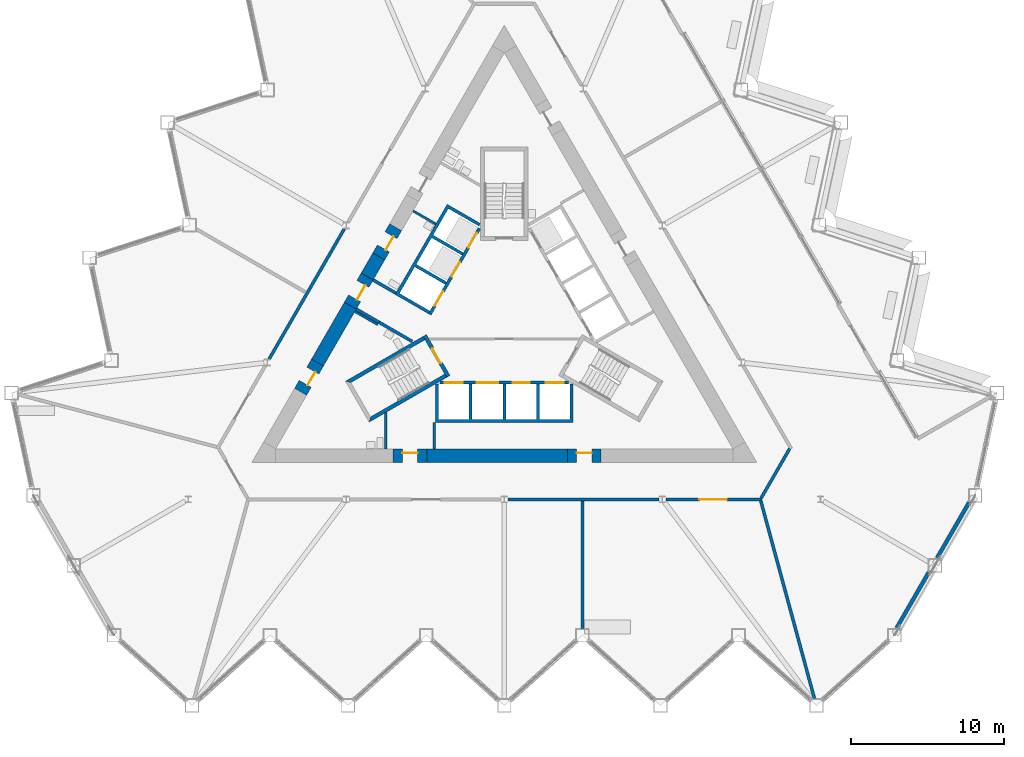
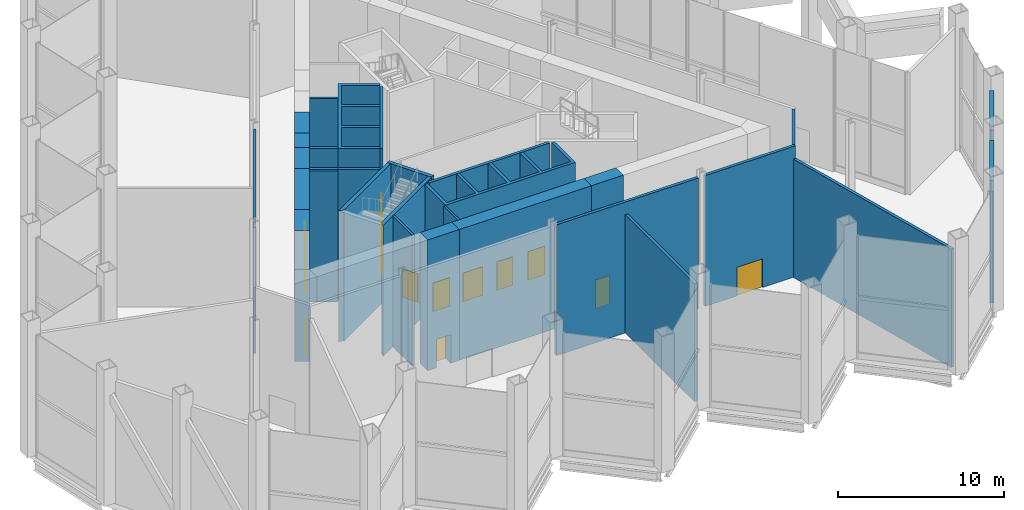
# One storey, part 9 of 18: 30 walls, 14 doors, 14 openings.
"""IFC4 building model written with IfcOpenShell, lengths in metres."""

from ifc_helpers import new_model, si_unit, direction, frame, frame_2d, origin, place, context, subcontext, project, spatial, polyline, rectangle, outline, extrude, material, layer, layer_set, type_object, element, fill, save


model = new_model("IFC4")

# Units and contexts
model_context = context("Model", 3, precision=1e-05, world=origin(), true_north=direction((0.0, 1.0)))
body_context = subcontext(model_context, "Body", "Model", "MODEL_VIEW")
ifc_project = project(units=[si_unit("LENGTHUNIT", "METRE"), si_unit("AREAUNIT", "SQUARE_METRE"), si_unit("VOLUMEUNIT", "CUBIC_METRE"), si_unit("PLANEANGLEUNIT", "RADIAN"), si_unit("MASSUNIT", "GRAM", prefix="KILO")], contexts=[model_context])

# Site, building, storey
site_placement = place(None, origin())
site = spatial("IfcSite", under=ifc_project, at=site_placement, CompositionType="ELEMENT")
building_placement = place(site_placement, origin())
building = spatial("IfcBuilding", under=site, at=building_placement, Name="Cormorant Prow Tower", CompositionType="ELEMENT")
storey_placement = place(building_placement, frame((0.0, 0.0, 154.199951171875)))
storey = spatial("IfcBuildingStorey", under=building, at=storey_placement, Name="L33", CompositionType="ELEMENT", Elevation=154.199951171875)

# Walls
ifc_material_1 = material(Name="Gypsum board partition")
ifc_layer_1 = layer(ifc_material_1, 0.14990234375)
ifc_layer_set_1 = layer_set([ifc_layer_1], Name="Gypsum board partition")
wall_type_1 = type_object("IfcWallType", Name="Core partition 150", PredefinedType="PARTITIONING", material=ifc_layer_set_1)
for number, where, z_axis, x_axis, name in (
    (1, (-8.268310546875, -0.509033203125, 0.0), (0.0, 0.0, 1.0), (-0.866024871741, 0.500000921525, 0.0), "Service room partition"),
    (2, (-4.574951171875, -6.906005859375, 0.0), (0.0, 0.0, 1.0), (0.0, -1.0, 0.0), "Service room partition"),
    (3, (-5.96435546875, 6.921875, 0.0), (0.0, 0.0, 1.0), (0.866024871741, -0.500000921525, 0.0), "Service room partition"),
):
    element("IfcWall", number, at=place(storey_placement, frame(where, z_axis=z_axis, x_axis=x_axis)), inside=storey, type_object=wall_type_1, Name=name, PredefinedType="PARTITIONING", context=body_context, shape_type="SweptSolid", body=[
        extrude(rectangle(XDim=1.72021484375, YDim=0.14990234375, at=frame_2d((0.860107421875, 0.0))), origin(), (0.0, 0.0, 1.0), 9.60009765625),
    ])
wall_1_placement = place(storey_placement, frame((-7.7373046875, -8.626220703125, 0.0), z_axis=(0.0, 0.0, 1.0), x_axis=(0.0, 1.0, 0.0)))
element("IfcWall", 4, at=wall_1_placement, inside=storey, type_object=wall_type_1, Name="Service room partition", PredefinedType="PARTITIONING", context=body_context, shape_type="SweptSolid", body=[
    extrude(rectangle(XDim=2.38623046875, YDim=0.14990234375, at=frame_2d((1.193115234375, 0.0))), origin(), (0.0, 0.0, 1.0), 9.60009765625),
])
ifc_material_2 = material(Name="Concrete 8000 psi", Category="concrete")
ifc_layer_2 = layer(ifc_material_2, 0.89990234375)
ifc_layer_set_2 = layer_set([ifc_layer_2], Name="Concrete 8000 psi")
wall_type_2 = type_object("IfcWallType", Name="Core shear wall 900", PredefinedType="SHEAR", material=ifc_layer_set_2)
wall_2_placement = place(storey_placement, frame((-5.05615234375, -9.076416015625, 0.0), z_axis=(0.0, 0.0, 1.0), x_axis=(1.0, 0.0, 0.0)))
element("IfcWall", 5, at=wall_2_placement, inside=storey, type_object=wall_type_2, Name="Core wall", PredefinedType="SHEAR", context=body_context, shape_type="SweptSolid", body=[
    extrude(rectangle(XDim=9.1767578125, YDim=0.89990234375, at=frame_2d((4.58837890625, 0.0))), origin(), (0.0, 0.0, 1.0), 9.60009765625),
])
wall_3_placement = place(storey_placement, frame((-10.060302734375, 0.7275390625, 0.0), z_axis=(0.0, 0.0, 1.0), x_axis=(-0.499996331799, -0.866027521611, 0.0)))
element("IfcWall", 6, at=wall_3_placement, inside=storey, type_object=wall_type_2, Name="Core wall", PredefinedType="SHEAR", context=body_context, shape_type="SweptSolid", body=[
    extrude(rectangle(XDim=4.29541015625, YDim=0.89990234375, at=frame_2d((2.147705078125, 0.0))), origin(), (0.0, 0.0, 1.0), 9.60009765625),
])
wall_4_placement = place(storey_placement, frame((-8.200927734375, 3.947998046875, 0.0), z_axis=(0.0, 0.0, 1.0), x_axis=(-0.499977585228, -0.866038344573, 0.0)))
element("IfcWall", 7, at=wall_4_placement, inside=storey, type_object=wall_type_2, Name="Core wall", PredefinedType="SHEAR", context=body_context, shape_type="SweptSolid", body=[
    extrude(rectangle(XDim=1.5185546875, YDim=0.89990234375, at=frame_2d((0.75927734375, 0.0))), origin(), (0.0, 0.0, 1.0), 9.60009765625),
])

# Wall, opening, door
wall_5_placement = place(storey_placement, frame((-7.256103515625, -9.076416015625, 0.0), z_axis=(0.0, 0.0, 1.0), x_axis=(1.0, 0.0, 0.0)))
wall_5 = element("IfcWall", 8, at=wall_5_placement, inside=storey, type_object=wall_type_2, Name="Core wall door panel", PredefinedType="SHEAR", context=body_context, shape_type="SweptSolid", body=[
    extrude(rectangle(XDim=2.199951171875, YDim=0.89990234375, at=frame_2d((1.10009765625, 0.0))), origin(), (0.0, 0.0, 1.0), 9.60009765625),
])
opening_1_placement = place(wall_5_placement, frame((0.60009765625, 0.0, 0.0)))
opening_1 = element("IfcOpeningElement", 9, at=opening_1_placement, cuts=wall_5, Name="Opening L33-C16", PredefinedType="OPENING", context=body_context, shape_type="SweptSolid", body=[
    extrude(rectangle(XDim=1.0, YDim=2.10009765625, at=frame_2d((0.5, 1.050048828125))), frame((0.0, 0.4599609375, 0.0), z_axis=(0.0, -1.0, 0.0), x_axis=(1.0, 0.0, 0.0)), (0.0, 0.0, 1.0), 0.919921875),
])
ifc_material_3 = material(Name="Painted steel", Category="steel")
door_type_1 = type_object("IfcDoorType", Name="Service door 1000x2100", OperationType="NOTDEFINED", PredefinedType="DOOR", material=ifc_material_3)
door_1_placement = place(opening_1_placement, origin())
door_1 = element("IfcDoor", 10, at=door_1_placement, inside=storey, type_object=door_type_1, Name="Core door, Housekeeping store", OperationType="SINGLE_SWING_RIGHT", OverallHeight=2.10009765625, OverallWidth=1.0, PredefinedType="DOOR", context=body_context, shape_type="SweptSolid", body=[
    extrude(rectangle(XDim=1.0, YDim=2.10009765625, at=frame_2d((0.5, 1.050048828125))), frame((0.0, 0.205078125, 0.0), z_axis=(0.0, -1.0, 0.0), x_axis=(1.0, 0.0, 0.0)), (0.0, 0.0, 1.0), 0.050048828125),
])
fill(opening_1, door_1)

wall_6_placement = place(storey_placement, frame((4.12060546875, -9.076416015625, 0.0), z_axis=(0.0, 0.0, 1.0), x_axis=(1.0, 0.0, 0.0)))
wall_6 = element("IfcWall", 11, at=wall_6_placement, inside=storey, type_object=wall_type_2, Name="Core wall door panel", PredefinedType="SHEAR", context=body_context, shape_type="SweptSolid", body=[
    extrude(rectangle(XDim=2.199951171875, YDim=0.89990234375, at=frame_2d((1.10009765625, 0.0))), origin(), (0.0, 0.0, 1.0), 9.60009765625),
])
opening_2_placement = place(wall_6_placement, frame((0.60009765625, 0.0, 0.0)))
opening_2 = element("IfcOpeningElement", 12, at=opening_2_placement, cuts=wall_6, Name="Opening L33-C17", PredefinedType="OPENING", context=body_context, shape_type="SweptSolid", body=[
    extrude(rectangle(XDim=1.0, YDim=2.10009765625, at=frame_2d((0.5, 1.050048828125))), frame((0.0, 0.4599609375, 0.0), z_axis=(0.0, -1.0, 0.0), x_axis=(1.0, 0.0, 0.0)), (0.0, 0.0, 1.0), 0.919921875),
])
door_2_placement = place(opening_2_placement, origin())
door_2 = element("IfcDoor", 13, at=door_2_placement, inside=storey, type_object=door_type_1, Name="Core door, Electrical room", OperationType="SINGLE_SWING_RIGHT", OverallHeight=2.10009765625, OverallWidth=1.0, PredefinedType="DOOR", context=body_context, shape_type="SweptSolid", body=[
    extrude(rectangle(XDim=1.0, YDim=2.10009765625, at=frame_2d((0.5, 1.050048828125))), frame((0.0, 0.205078125, 0.0), z_axis=(0.0, -1.0, 0.0), x_axis=(1.0, 0.0, 0.0)), (0.0, 0.0, 1.0), 0.050048828125),
])
fill(opening_2, door_2)

wall_7_placement = place(storey_placement, frame((-12.2080078125, -2.992431640625, 0.0), z_axis=(0.0, 0.0, 1.0), x_axis=(-0.50002983664, -0.866008176907, 0.0)))
wall_7 = element("IfcWall", 14, at=wall_7_placement, inside=storey, type_object=wall_type_2, Name="Core wall door panel", PredefinedType="SHEAR", context=body_context, shape_type="SweptSolid", body=[
    extrude(rectangle(XDim=2.199951171875, YDim=0.89990234375, at=frame_2d((1.10009765625, 0.0))), origin(), (0.0, 0.0, 1.0), 9.60009765625),
])
opening_3_placement = place(wall_7_placement, frame((0.60009765625, 0.0, 0.0)))
opening_3 = element("IfcOpeningElement", 15, at=opening_3_placement, cuts=wall_7, Name="Opening L33-C18", PredefinedType="OPENING", context=body_context, shape_type="SweptSolid", body=[
    extrude(rectangle(XDim=1.0, YDim=2.10009765625, at=frame_2d((0.5, 1.050048828125))), frame((0.0, 0.4599609375, 0.0), z_axis=(0.0, -1.0, 0.0), x_axis=(1.0, 0.0, 0.0)), (0.0, 0.0, 1.0), 0.919921875),
])
door_3_placement = place(opening_3_placement, origin())
door_3 = element("IfcDoor", 16, at=door_3_placement, inside=storey, type_object=door_type_1, Name="Core door, Toilets (men) L33", OperationType="SINGLE_SWING_LEFT", OverallHeight=2.10009765625, OverallWidth=1.0, PredefinedType="DOOR", context=body_context, shape_type="SweptSolid", body=[
    extrude(rectangle(XDim=1.0, YDim=2.10009765625, at=frame_2d((0.5, 1.050048828125))), frame((0.0, 0.205078125, 0.0), z_axis=(0.0, -1.0, 0.0), x_axis=(1.0, 0.0, 0.0)), (0.0, 0.0, 1.0), 0.050048828125),
])
fill(opening_3, door_3)

wall_8_placement = place(storey_placement, frame((-7.10107421875, 5.853515625, 0.0), z_axis=(0.0, 0.0, 1.0), x_axis=(-0.499898558967, -0.866083962871, 0.0)))
wall_8 = element("IfcWall", 17, at=wall_8_placement, inside=storey, type_object=wall_type_2, Name="Core wall door panel", PredefinedType="SHEAR", context=body_context, shape_type="SweptSolid", body=[
    extrude(rectangle(XDim=2.2001953125, YDim=0.89990234375, at=frame_2d((1.10009765625, 0.0))), origin(), (0.0, 0.0, 1.0), 9.60009765625),
])
opening_4_placement = place(wall_8_placement, frame((0.60009765625, 0.0, 0.0)))
opening_4 = element("IfcOpeningElement", 18, at=opening_4_placement, cuts=wall_8, Name="Opening L33-C20", PredefinedType="OPENING", context=body_context, shape_type="SweptSolid", body=[
    extrude(rectangle(XDim=1.0, YDim=2.10009765625, at=frame_2d((0.5, 1.050048828125))), frame((0.0, 0.4599609375, 0.0), z_axis=(0.0, -1.0, 0.0), x_axis=(1.0, 0.0, 0.0)), (0.0, 0.0, 1.0), 0.919921875),
])
door_4_placement = place(opening_4_placement, origin())
door_4 = element("IfcDoor", 19, at=door_4_placement, inside=storey, type_object=door_type_1, Name="Core door, Accessible WC L33", OperationType="SINGLE_SWING_RIGHT", OverallHeight=2.10009765625, OverallWidth=1.0, PredefinedType="DOOR", context=body_context, shape_type="SweptSolid", body=[
    extrude(rectangle(XDim=1.0, YDim=2.10009765625, at=frame_2d((0.5, 1.050048828125))), frame((0.0, 0.205078125, 0.0), z_axis=(0.0, -1.0, 0.0), x_axis=(1.0, 0.0, 0.0)), (0.0, 0.0, 1.0), 0.050048828125),
])
fill(opening_4, door_4)

wall_9_placement = place(storey_placement, frame((-8.960205078125, 2.6328125, 0.0), z_axis=(0.0, 0.0, 1.0), x_axis=(-0.50002983664, -0.866008176907, 0.0)))
wall_9 = element("IfcWall", 20, at=wall_9_placement, inside=storey, type_object=wall_type_2, Name="Core wall door panel", PredefinedType="SHEAR", context=body_context, shape_type="SweptSolid", body=[
    extrude(rectangle(XDim=2.199951171875, YDim=0.89990234375, at=frame_2d((1.10009765625, 0.0))), origin(), (0.0, 0.0, 1.0), 9.60009765625),
])
opening_5_placement = place(wall_9_placement, frame((0.550048828125, 0.0, 0.0)))
opening_5 = element("IfcOpeningElement", 21, at=opening_5_placement, cuts=wall_9, Name="Opening L33-C23", PredefinedType="OPENING", context=body_context, shape_type="SweptSolid", body=[
    extrude(rectangle(XDim=1.10009765625, YDim=2.10009765625, at=frame_2d((0.550048828125, 1.050048828125))), frame((0.0, 0.4599609375, 0.0), z_axis=(0.0, -1.0, 0.0), x_axis=(1.0, 0.0, 0.0)), (0.0, 0.0, 1.0), 0.919921875),
])
ifc_material_4 = material(Name="Painted steel", Category="steel")
door_type_2 = type_object("IfcDoorType", Name="Core door 1100x2100", OperationType="NOTDEFINED", PredefinedType="DOOR", material=ifc_material_4)
door_5_placement = place(opening_5_placement, origin())
door_5 = element("IfcDoor", 22, at=door_5_placement, inside=storey, type_object=door_type_2, Name="Core door, lift lobby", OperationType="SINGLE_SWING_RIGHT", OverallHeight=2.10009765625, OverallWidth=1.10009765625, PredefinedType="DOOR", context=body_context, shape_type="SweptSolid", body=[
    extrude(rectangle(XDim=1.10009765625, YDim=2.10009765625, at=frame_2d((0.550048828125, 1.050048828125))), frame((0.0, 0.205078125, 0.0), z_axis=(0.0, -1.0, 0.0), x_axis=(1.0, 0.0, 0.0)), (0.0, 0.0, 1.0), 0.050048828125),
])
fill(opening_5, door_5)

# Walls
ifc_material_5 = material(Name="Gypsum board corridor wall")
ifc_layer_3 = layer(ifc_material_5, 0.199951171875)
ifc_layer_set_3 = layer_set([ifc_layer_3], Name="Gypsum board corridor wall")
wall_type_3 = type_object("IfcWallType", Name="Corridor wall 200", PredefinedType="PARTITIONING", material=ifc_layer_set_3)
wall_10_placement = place(storey_placement, frame((0.227294921875, -11.92626953125, 0.0), z_axis=(0.0, 0.0, 1.0), x_axis=(1.0, 0.0, 0.0)))
element("IfcWall", 23, at=wall_10_placement, inside=storey, type_object=wall_type_3, Name="Corridor wall", PredefinedType="PARTITIONING", context=body_context, shape_type="SweptSolid", body=[
    extrude(rectangle(XDim=9.873779296875, YDim=0.199951171875, at=frame_2d((4.93701171875, 0.0))), origin(), (0.0, 0.0, 1.0), 9.60009765625),
])
wall_11_placement = place(storey_placement, frame((-15.361328125, -2.754150390625, 0.0), z_axis=(0.0, 0.0, 1.0), x_axis=(0.500004141693, 0.866023012564, 0.0)))
element("IfcWall", 24, at=wall_11_placement, inside=storey, type_object=wall_type_3, Name="Corridor wall", PredefinedType="PARTITIONING", context=body_context, shape_type="SweptSolid", body=[
    extrude(rectangle(XDim=9.80322265625, YDim=0.199951171875, at=frame_2d((4.901611328125, 0.0))), origin(), (0.0, 0.0, 1.0), 9.60009765625),
])

# Wall, opening, door
wall_12_placement = place(storey_placement, frame((10.555908203125, -11.92626953125, 0.0), z_axis=(0.0, 0.0, 1.0), x_axis=(1.0, 0.0, 0.0)))
wall_12 = element("IfcWall", 25, at=wall_12_placement, inside=storey, type_object=wall_type_3, Name="Corridor wall", PredefinedType="PARTITIONING", context=body_context, shape_type="SweptSolid", body=[
    extrude(rectangle(XDim=6.27490234375, YDim=0.199951171875, at=frame_2d((3.137451171875, 0.0))), origin(), (0.0, 0.0, 1.0), 9.60009765625),
])
opening_6_placement = place(wall_12_placement, frame((2.1865234375, 0.0, 0.0)))
opening_6 = element("IfcOpeningElement", 26, at=opening_6_placement, cuts=wall_12, Name="Opening L33-F02", PredefinedType="OPENING", context=body_context, shape_type="SweptSolid", body=[
    extrude(rectangle(XDim=1.800048828125, YDim=2.10009765625, at=frame_2d((0.89990234375, 1.050048828125))), frame((0.0, 0.10986328125, 0.0), z_axis=(0.0, -1.0, 0.0), x_axis=(1.0, 0.0, 0.0)), (0.0, 0.0, 1.0), 0.219970703125),
])
ifc_material_6 = material(Name="Timber door leaf", Category="wood")
door_type_3 = type_object("IfcDoorType", Name="Double door 1800x2100", OperationType="DOUBLE_DOOR_SINGLE_SWING", PredefinedType="DOOR", material=ifc_material_6)
door_6_placement = place(opening_6_placement, origin())
door_6 = element("IfcDoor", 27, at=door_6_placement, inside=storey, type_object=door_type_3, Name="Sky lobby door", OperationType="DOUBLE_DOOR_SINGLE_SWING", OverallHeight=2.10009765625, OverallWidth=1.800048828125, PredefinedType="DOOR", context=body_context, shape_type="SweptSolid", body=[
    extrude(rectangle(XDim=1.800048828125, YDim=2.10009765625, at=frame_2d((0.89990234375, 1.050048828125))), frame((0.0, 0.02490234375, 0.0), z_axis=(0.0, -1.0, 0.0), x_axis=(1.0, 0.0, 0.0)), (0.0, 0.0, 1.0), 0.050048828125),
])
fill(opening_6, door_6)

# Walls
wall_13_placement = place(storey_placement, frame((16.781005859375, -11.839599609375, 0.0), z_axis=(0.0, 0.0, 1.0), x_axis=(0.499958791762, 0.866049194065, 0.0)))
element("IfcWall", 28, at=wall_13_placement, inside=storey, type_object=wall_type_3, Name="Corridor wall", PredefinedType="PARTITIONING", context=body_context, shape_type="SweptSolid", body=[
    extrude(rectangle(XDim=3.725830078125, YDim=0.199951171875, at=frame_2d((1.86279296875, 0.0))), origin(), (0.0, 0.0, 1.0), 9.60009765625),
])
ifc_material_7 = material(Name="Gypsum board demising wall")
ifc_layer_4 = layer(ifc_material_7, 0.199951171875)
ifc_layer_set_4 = layer_set([ifc_layer_4], Name="Gypsum board demising wall")
wall_type_4 = type_object("IfcWallType", Name="Demising wall 200", PredefinedType="PARTITIONING", material=ifc_layer_set_4)
wall_14_placement = place(storey_placement, frame((16.757080078125, -12.022705078125, 0.0), z_axis=(0.0, 0.0, 1.0), x_axis=(0.261845290604, -0.965109860994, 0.0)))
element("IfcWall", 29, at=wall_14_placement, inside=storey, type_object=wall_type_4, Name="Demising wall", PredefinedType="PARTITIONING", context=body_context, shape_type="SweptSolid", body=[
    extrude(rectangle(XDim=13.383544921875, YDim=0.199951171875, at=frame_2d((6.69189453125, 0.0))), origin(), (0.0, 0.0, 1.0), 8.685302734375),
])
wall_15_placement = place(storey_placement, frame((5.099853515625, -20.34716796875, 0.0), z_axis=(0.0, 0.0, 1.0), x_axis=(0.0, 1.0, 0.0)))
element("IfcWall", 30, at=wall_15_placement, inside=storey, type_object=wall_type_4, Name="Demising wall", PredefinedType="PARTITIONING", context=body_context, shape_type="SweptSolid", body=[
    extrude(rectangle(XDim=8.32080078125, YDim=0.199951171875, at=frame_2d((4.160400390625, 0.0))), origin(), (0.0, 0.0, 1.0), 8.685302734375),
])

# Wall, openings, doors
ifc_material_8 = material(Name="Concrete 5000 psi", Category="concrete")
ifc_layer_5 = layer(ifc_material_8, 0.199951171875)
ifc_layer_set_5 = layer_set([ifc_layer_5], Name="Concrete 5000 psi")
wall_type_5 = type_object("IfcWallType", Name="Lift lobby wall 200", PredefinedType="SOLIDWALL", material=ifc_layer_set_5)
wall_16_placement = place(storey_placement, frame((-4.1865234375, -4.300048828125, 0.0), z_axis=(0.0, 0.0, 1.0), x_axis=(1.0, 0.0, 0.0)))
wall_16 = element("IfcWall", 31, at=wall_16_placement, inside=storey, type_object=wall_type_5, Name="Lift lobby wall, S block", PredefinedType="SOLIDWALL", context=body_context, shape_type="SweptSolid", body=[
    extrude(rectangle(XDim=8.373046875, YDim=0.199951171875, at=frame_2d((4.1865234375, 0.0))), origin(), (0.0, 0.0, 1.0), 9.60009765625),
])
opening_7_placement = place(wall_16_placement, frame((0.28662109375, 0.0, 0.0)))
opening_7 = element("IfcOpeningElement", 32, at=opening_7_placement, cuts=wall_16, Name="Opening L33-C01", PredefinedType="OPENING", context=body_context, shape_type="SweptSolid", body=[
    extrude(rectangle(XDim=1.199951171875, YDim=2.10009765625, at=frame_2d((0.60009765625, 1.050048828125))), frame((0.0, 0.10986328125, 0.0), z_axis=(0.0, -1.0, 0.0), x_axis=(1.0, 0.0, 0.0)), (0.0, 0.0, 1.0), 0.219970703125),
])
opening_8_placement = place(wall_16_placement, frame((2.38671875, 0.0, 0.0)))
opening_8 = element("IfcOpeningElement", 33, at=opening_8_placement, cuts=wall_16, Name="Opening L33-C02", PredefinedType="OPENING", context=body_context, shape_type="SweptSolid", body=[
    extrude(rectangle(XDim=1.39990234375, YDim=2.10009765625, at=frame_2d((0.699951171875, 1.050048828125))), frame((0.0, 0.10986328125, 0.0), z_axis=(0.0, -1.0, 0.0), x_axis=(1.0, 0.0, 0.0)), (0.0, 0.0, 1.0), 0.219970703125),
])
opening_9_placement = place(wall_16_placement, frame((4.736572265625, 0.0, 0.0)))
opening_9 = element("IfcOpeningElement", 34, at=opening_9_placement, cuts=wall_16, Name="Opening L33-C03", PredefinedType="OPENING", context=body_context, shape_type="SweptSolid", body=[
    extrude(rectangle(XDim=1.10009765625, YDim=2.10009765625, at=frame_2d((0.550048828125, 1.050048828125))), frame((0.0, 0.10986328125, 0.0), z_axis=(0.0, -1.0, 0.0), x_axis=(1.0, 0.0, 0.0)), (0.0, 0.0, 1.0), 0.219970703125),
])
opening_10_placement = place(wall_16_placement, frame((6.88671875, 0.0, 0.0)))
opening_10 = element("IfcOpeningElement", 35, at=opening_10_placement, cuts=wall_16, Name="Opening L33-C04", PredefinedType="OPENING", context=body_context, shape_type="SweptSolid", body=[
    extrude(rectangle(XDim=1.199951171875, YDim=2.10009765625, at=frame_2d((0.60009765625, 1.050048828125))), frame((0.0, 0.10986328125, 0.0), z_axis=(0.0, -1.0, 0.0), x_axis=(1.0, 0.0, 0.0)), (0.0, 0.0, 1.0), 0.219970703125),
])
ifc_material_9 = material(Name="Painted steel", Category="steel")
door_type_4 = type_object("IfcDoorType", Name="Firefighting lift landing door 1200x2100", OperationType="SLIDING_TO_LEFT", PredefinedType="DOOR", material=ifc_material_9)
door_7_placement = place(opening_7_placement, origin())
door_7 = element("IfcDoor", 36, at=door_7_placement, inside=storey, type_object=door_type_4, Name="Landing door FL1", OperationType="SLIDING_TO_LEFT", OverallHeight=2.10009765625, OverallWidth=1.199951171875, PredefinedType="DOOR", context=body_context, shape_type="SweptSolid", body=[
    extrude(rectangle(XDim=1.199951171875, YDim=2.10009765625, at=frame_2d((0.60009765625, 1.050048828125))), frame((0.0, 0.02490234375, 0.0), z_axis=(0.0, -1.0, 0.0), x_axis=(1.0, 0.0, 0.0)), (0.0, 0.0, 1.0), 0.050048828125),
])
fill(opening_7, door_7)
door_8_placement = place(opening_10_placement, origin())
door_8 = element("IfcDoor", 37, at=door_8_placement, inside=storey, type_object=door_type_4, Name="Landing door FL2", OperationType="SLIDING_TO_LEFT", OverallHeight=2.10009765625, OverallWidth=1.199951171875, PredefinedType="DOOR", context=body_context, shape_type="SweptSolid", body=[
    extrude(rectangle(XDim=1.199951171875, YDim=2.10009765625, at=frame_2d((0.60009765625, 1.050048828125))), frame((0.0, 0.02490234375, 0.0), z_axis=(0.0, -1.0, 0.0), x_axis=(1.0, 0.0, 0.0)), (0.0, 0.0, 1.0), 0.050048828125),
])
fill(opening_10, door_8)
ifc_material_10 = material(Name="Painted steel", Category="steel")
door_type_5 = type_object("IfcDoorType", Name="Lift landing door 1100x2100", OperationType="SLIDING_TO_LEFT", PredefinedType="DOOR", material=ifc_material_10)
door_9_placement = place(opening_9_placement, origin())
door_9 = element("IfcDoor", 38, at=door_9_placement, inside=storey, type_object=door_type_5, Name="Landing door LR1", OperationType="SLIDING_TO_LEFT", OverallHeight=2.10009765625, OverallWidth=1.10009765625, PredefinedType="DOOR", context=body_context, shape_type="SweptSolid", body=[
    extrude(rectangle(XDim=1.10009765625, YDim=2.10009765625, at=frame_2d((0.550048828125, 1.050048828125))), frame((0.0, 0.02490234375, 0.0), z_axis=(0.0, -1.0, 0.0), x_axis=(1.0, 0.0, 0.0)), (0.0, 0.0, 1.0), 0.050048828125),
])
fill(opening_9, door_9)
ifc_material_11 = material(Name="Painted steel", Category="steel")
door_type_6 = type_object("IfcDoorType", Name="Service lift landing door 1400x2100", OperationType="SLIDING_TO_LEFT", PredefinedType="DOOR", material=ifc_material_11)
door_10_placement = place(opening_8_placement, origin())
door_10 = element("IfcDoor", 39, at=door_10_placement, inside=storey, type_object=door_type_6, Name="Landing door SL1", OperationType="SLIDING_TO_LEFT", OverallHeight=2.10009765625, OverallWidth=1.39990234375, PredefinedType="DOOR", context=body_context, shape_type="SweptSolid", body=[
    extrude(rectangle(XDim=1.39990234375, YDim=2.10009765625, at=frame_2d((0.699951171875, 1.050048828125))), frame((0.0, 0.02490234375, 0.0), z_axis=(0.0, -1.0, 0.0), x_axis=(1.0, 0.0, 0.0)), (0.0, 0.0, 1.0), 0.050048828125),
])
fill(opening_8, door_10)

wall_17_placement = place(storey_placement, frame((-1.630615234375, 5.775634765625, 0.0), z_axis=(0.0, 0.0, 1.0), x_axis=(-0.499992876559, -0.866029516466, 0.0)))
wall_17 = element("IfcWall", 40, at=wall_17_placement, inside=storey, type_object=wall_type_5, Name="Lift lobby wall, WNW block", PredefinedType="SOLIDWALL", context=body_context, shape_type="SweptSolid", body=[
    extrude(rectangle(XDim=6.486328125, YDim=0.199951171875, at=frame_2d((3.2431640625, 0.0))), origin(), (0.0, 0.0, 1.0), 9.60009765625),
])
opening_11_placement = place(wall_17_placement, frame((0.336669921875, 0.0, 0.0)))
opening_11 = element("IfcOpeningElement", 41, at=opening_11_placement, cuts=wall_17, Name="Opening L33-C09", PredefinedType="OPENING", context=body_context, shape_type="SweptSolid", body=[
    extrude(rectangle(XDim=1.10009765625, YDim=2.10009765625, at=frame_2d((0.550048828125, 1.050048828125))), frame((0.0, 0.10986328125, 0.0), z_axis=(0.0, -1.0, 0.0), x_axis=(1.0, 0.0, 0.0)), (0.0, 0.0, 1.0), 0.219970703125),
])
opening_12_placement = place(wall_17_placement, frame((2.53662109375, 0.0, 0.0)))
opening_12 = element("IfcOpeningElement", 42, at=opening_12_placement, cuts=wall_17, Name="Opening L33-C10", PredefinedType="OPENING", context=body_context, shape_type="SweptSolid", body=[
    extrude(rectangle(XDim=1.10009765625, YDim=2.10009765625, at=frame_2d((0.550048828125, 1.050048828125))), frame((0.0, 0.10986328125, 0.0), z_axis=(0.0, -1.0, 0.0), x_axis=(1.0, 0.0, 0.0)), (0.0, 0.0, 1.0), 0.219970703125),
])
opening_13_placement = place(wall_17_placement, frame((4.736572265625, 0.0, 0.0)))
opening_13 = element("IfcOpeningElement", 43, at=opening_13_placement, cuts=wall_17, Name="Opening L33-C11", PredefinedType="OPENING", context=body_context, shape_type="SweptSolid", body=[
    extrude(rectangle(XDim=1.10009765625, YDim=2.10009765625, at=frame_2d((0.550048828125, 1.050048828125))), frame((0.0, 0.10986328125, 0.0), z_axis=(0.0, -1.0, 0.0), x_axis=(1.0, 0.0, 0.0)), (0.0, 0.0, 1.0), 0.219970703125),
])
door_11_placement = place(opening_11_placement, origin())
door_11 = element("IfcDoor", 44, at=door_11_placement, inside=storey, type_object=door_type_5, Name="Landing door MR2", OperationType="SLIDING_TO_LEFT", OverallHeight=2.10009765625, OverallWidth=1.10009765625, PredefinedType="DOOR", context=body_context, shape_type="SweptSolid", body=[
    extrude(rectangle(XDim=1.10009765625, YDim=2.10009765625, at=frame_2d((0.550048828125, 1.050048828125))), frame((0.0, 0.02490234375, 0.0), z_axis=(0.0, -1.0, 0.0), x_axis=(1.0, 0.0, 0.0)), (0.0, 0.0, 1.0), 0.050048828125),
])
fill(opening_11, door_11)
door_12_placement = place(opening_12_placement, origin())
door_12 = element("IfcDoor", 45, at=door_12_placement, inside=storey, type_object=door_type_5, Name="Landing door MR3", OperationType="SLIDING_TO_LEFT", OverallHeight=2.10009765625, OverallWidth=1.10009765625, PredefinedType="DOOR", context=body_context, shape_type="SweptSolid", body=[
    extrude(rectangle(XDim=1.10009765625, YDim=2.10009765625, at=frame_2d((0.550048828125, 1.050048828125))), frame((0.0, 0.02490234375, 0.0), z_axis=(0.0, -1.0, 0.0), x_axis=(1.0, 0.0, 0.0)), (0.0, 0.0, 1.0), 0.050048828125),
])
fill(opening_12, door_12)
door_13_placement = place(opening_13_placement, origin())
door_13 = element("IfcDoor", 46, at=door_13_placement, inside=storey, type_object=door_type_5, Name="Landing door SH1", OperationType="SLIDING_TO_LEFT", OverallHeight=2.10009765625, OverallWidth=1.10009765625, PredefinedType="DOOR", context=body_context, shape_type="SweptSolid", body=[
    extrude(rectangle(XDim=1.10009765625, YDim=2.10009765625, at=frame_2d((0.550048828125, 1.050048828125))), frame((0.0, 0.02490234375, 0.0), z_axis=(0.0, -1.0, 0.0), x_axis=(1.0, 0.0, 0.0)), (0.0, 0.0, 1.0), 0.050048828125),
])
fill(opening_13, door_13)

# Walls
ifc_material_12 = material(Name="Concrete 8000 psi", Category="concrete")
ifc_layer_6 = layer(ifc_material_12, 0.199951171875)
ifc_layer_set_6 = layer_set([ifc_layer_6], Name="Concrete 8000 psi")
wall_type_6 = type_object("IfcWallType", Name="Lift shaft wall 200", PredefinedType="SHEAR", material=ifc_layer_set_6)
wall_18_placement = place(storey_placement, origin())
element("IfcWall", 47, at=wall_18_placement, inside=storey, type_object=wall_type_6, Name="Lift shaft walls, S block", PredefinedType="SHEAR", context=body_context, shape_type="SweptSolid", body=[
    extrude(outline(polyline([(4.5, -4.39990234375), (4.5, -6.906005859375), (-4.5, -6.906005859375), (-4.5, -4.39990234375), (-4.300048828125, -4.39990234375), (-4.300048828125, -6.699951171875), (-2.300048828125, -6.699951171875), (-2.300048828125, -4.39990234375), (-2.10009765625, -4.39990234375), (-2.10009765625, -6.699951171875), (-0.10009765625, -6.699951171875), (-0.10009765625, -4.39990234375), (0.10009765625, -4.39990234375), (0.10009765625, -6.699951171875), (2.10009765625, -6.699951171875), (2.10009765625, -4.39990234375), (2.300048828125, -4.39990234375), (2.300048828125, -6.699951171875), (4.300048828125, -6.699951171875), (4.300048828125, -4.39990234375), (4.5, -4.39990234375)])), origin(), (0.0, 0.0, 1.0), 9.60009765625),
])
wall_19_placement = place(storey_placement, origin())
element("IfcWall", 48, at=wall_19_placement, inside=storey, type_object=wall_type_6, Name="Lift shaft walls, WNW block", PredefinedType="SHEAR", context=body_context, shape_type="SweptSolid", body=[
    extrude(outline(polyline([(-6.060546875, -1.697021484375), (-8.230712890625, -0.444091796875), (-8.130859375, -0.27099609375), (-5.96044921875, -1.52392578125), (-6.060546875, -1.697021484375)])), origin(), (0.0, 0.0, 1.0), 9.60009765625),
])
wall_20_placement = place(storey_placement, origin())
element("IfcWall", 49, at=wall_20_placement, inside=storey, type_object=wall_type_6, Name="Lift shaft walls, WNW block", PredefinedType="SHEAR", context=body_context, shape_type="SweptSolid", body=[
    extrude(outline(polyline([(-4.96044921875, 0.2080078125), (-7.130859375, 1.461181640625), (-3.730712890625, 7.35009765625), (-1.560546875, 6.09716796875), (-1.660400390625, 5.923828125), (-3.65234375, 7.073974609375), (-4.65234375, 5.341796875), (-2.660400390625, 4.19189453125), (-2.760498046875, 4.018798828125), (-4.75244140625, 5.168701171875), (-5.75244140625, 3.4365234375), (-3.760498046875, 2.28662109375), (-3.860595703125, 2.11328125), (-5.852294921875, 3.263427734375), (-6.852294921875, 1.53125), (-4.860595703125, 0.38134765625), (-4.96044921875, 0.2080078125)])), origin(), (0.0, 0.0, 1.0), 9.60009765625),
])
for number, where, z_axis, x_axis, name in (
    (50, (-7.080810546875, 1.547607421875, 0.0), (0.0, 0.0, 1.0), (-0.865963414263, 0.500107353632, 0.0), "Lobby passage wall"),
    (51, (-8.180908203125, -0.357421875, 0.0), (0.0, 0.0, 1.0), (-0.866024871741, 0.500000921525, 0.0), "Lobby passage wall"),
):
    element("IfcWall", number, at=place(storey_placement, frame(where, z_axis=z_axis, x_axis=x_axis)), inside=storey, type_object=wall_type_6, Name=name, PredefinedType="SHEAR", context=body_context, shape_type="SweptSolid", body=[
        extrude(rectangle(XDim=1.72021484375, YDim=0.199951171875, at=frame_2d((0.860107421875, 0.0))), origin(), (0.0, 0.0, 1.0), 9.60009765625),
    ])
ifc_material_13 = material(Name="Concrete 8000 psi", Category="concrete")
ifc_layer_7 = layer(ifc_material_13, 0.25)
ifc_layer_set_7 = layer_set([ifc_layer_7], Name="Concrete 8000 psi")
wall_type_7 = type_object("IfcWallType", Name="Stair wall 250", PredefinedType="SHEAR", material=ifc_layer_set_7)
wall_21_placement = place(storey_placement, origin())
element("IfcWall", 52, at=wall_21_placement, inside=storey, type_object=wall_type_7, Name="Stair ST1 enclosure wall (flank)", PredefinedType="SHEAR", context=body_context, shape_type="SweptSolid", body=[
    extrude(outline(polyline([(-5.30712890625, -1.28125), (-10.37353515625, -4.206298828125), (-10.031982421875, -4.2978515625), (-5.18212890625, -1.497802734375), (-5.30712890625, -1.28125)])), origin(), (0.0, 0.0, 1.0), 9.60009765625),
])
wall_22_placement = place(storey_placement, origin())
element("IfcWall", 53, at=wall_22_placement, inside=storey, type_object=wall_type_7, Name="Stair ST1 enclosure wall (flank)", PredefinedType="SHEAR", context=body_context, shape_type="SweptSolid", body=[
    extrude(outline(polyline([(-8.738037109375, -6.5390625), (-8.82958984375, -6.880615234375), (-3.76318359375, -3.95556640625), (-3.88818359375, -3.739013671875), (-8.738037109375, -6.5390625)])), origin(), (0.0, 0.0, 1.0), 9.60009765625),
])

# Wall, opening, door
wall_23_placement = place(storey_placement, frame((-5.198974609375, -1.21875, 0.0), z_axis=(0.0, 0.0, 1.0), x_axis=(0.499982516597, -0.866035497597, 0.0)))
wall_23 = element("IfcWall", 54, at=wall_23_placement, inside=storey, type_object=wall_type_7, Name="Stair ST1 door wall", PredefinedType="SHEAR", context=body_context, shape_type="SweptSolid", body=[
    extrude(rectangle(XDim=3.087890625, YDim=0.25, at=frame_2d((1.5439453125, 0.0))), origin(), (0.0, 0.0, 1.0), 9.60009765625),
])
opening_14_placement = place(wall_23_placement, frame((0.993896484375, 0.0, 0.0)))
opening_14 = element("IfcOpeningElement", 55, at=opening_14_placement, cuts=wall_23, Name="Opening L33-C13", PredefinedType="OPENING", context=body_context, shape_type="SweptSolid", body=[
    extrude(rectangle(XDim=1.10009765625, YDim=2.10009765625, at=frame_2d((0.550048828125, 1.050048828125))), frame((0.0, 0.135009765625, 0.0), z_axis=(0.0, -1.0, 0.0), x_axis=(1.0, 0.0, 0.0)), (0.0, 0.0, 1.0), 0.27001953125),
])
ifc_material_14 = material(Name="Painted steel", Category="steel")
door_type_7 = type_object("IfcDoorType", Name="Stair door 1100x2100", OperationType="NOTDEFINED", PredefinedType="DOOR", material=ifc_material_14)
door_14_placement = place(opening_14_placement, origin())
door_14 = element("IfcDoor", 56, at=door_14_placement, inside=storey, type_object=door_type_7, Name="Stair ST1 door", OperationType="SINGLE_SWING_LEFT", OverallHeight=2.10009765625, OverallWidth=1.10009765625, PredefinedType="DOOR", context=body_context, shape_type="SweptSolid", body=[
    extrude(rectangle(XDim=1.10009765625, YDim=2.10009765625, at=frame_2d((0.550048828125, 1.050048828125))), frame((0.0, 0.02490234375, 0.0), z_axis=(0.0, -1.0, 0.0), x_axis=(1.0, 0.0, 0.0)), (0.0, 0.0, 1.0), 0.050048828125),
])
fill(opening_14, door_14)

# Walls
ifc_material_15 = material(Name="Terracotta", Category="masonry")
ifc_layer_8 = layer(ifc_material_15, 0.25)
ifc_layer_set_8 = layer_set([ifc_layer_8], Name="Terracotta")
wall_type_8 = type_object("IfcWallType", Name="Terracotta bay wall 250", PredefinedType="SOLIDWALL", material=ifc_layer_set_8)
for number, where, z_axis, x_axis, name in (
    (57, (25.64404296875, -20.30712890625, 0.0), (0.0, 0.0, 1.0), (0.500001360749, 0.866024618154, 0.0), "Terracotta bay wall ESE00"),
    (58, (28.27880859375, -15.743408203125, 0.0), (0.0, 0.0, 1.0), (0.500001360749, 0.866024618154, 0.0), "Terracotta bay wall ESE01"),
):
    element("IfcWall", number, at=place(storey_placement, frame(where, z_axis=z_axis, x_axis=x_axis)), inside=storey, type_object=wall_type_8, Name=name, PredefinedType="SOLIDWALL", context=body_context, shape_type="SweptSolid", body=[
        extrude(rectangle(XDim=4.16748046875, YDim=0.25, at=frame_2d((2.083740234375, 0.0))), origin(), (0.0, 0.0, 1.0), 8.989013671875),
    ])

save(model, "model.ifc")
